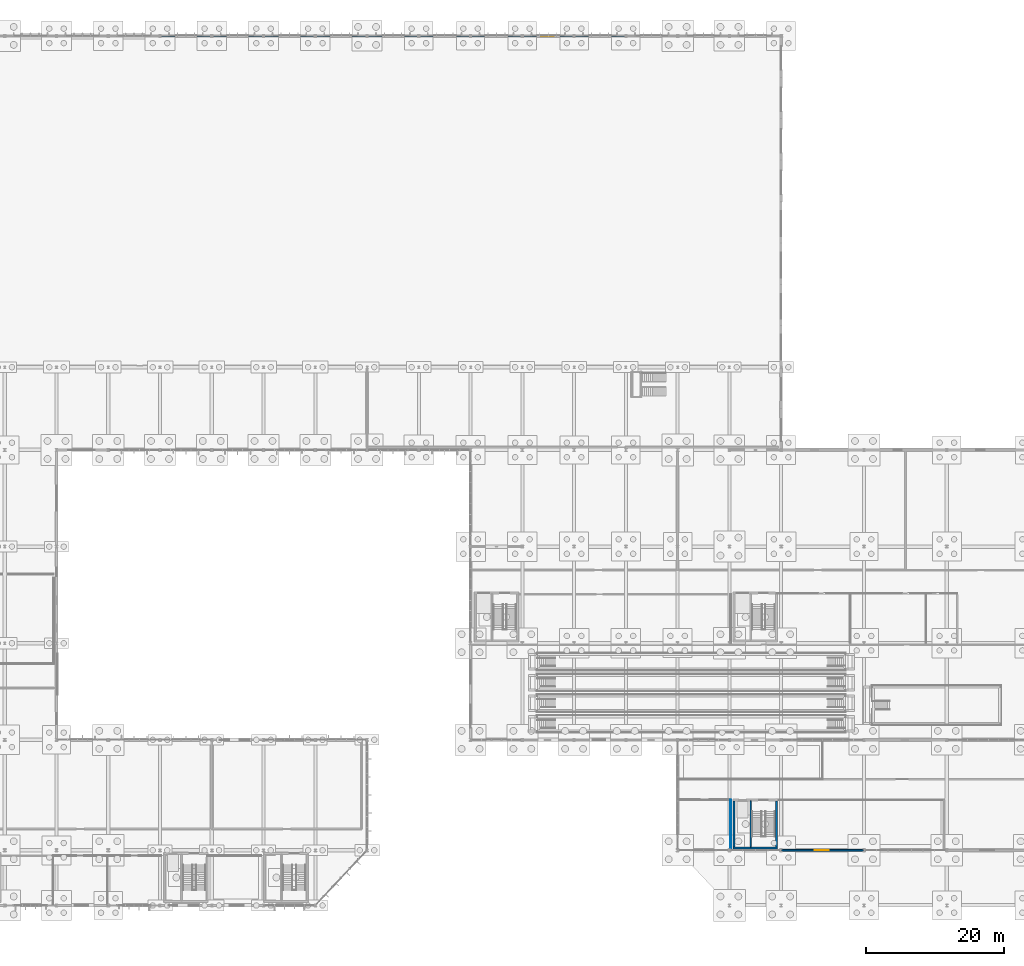
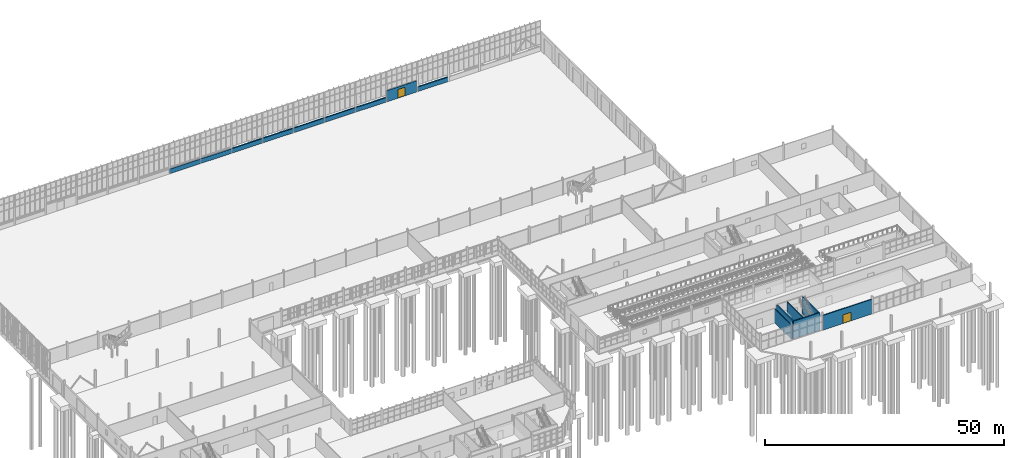
# One storey, part 113 of 136: 15 walls, 2 doors, 2 openings.
"""IFC4 building model written with IfcOpenShell, lengths in metres."""

import ifcopenshell
import ifcopenshell.guid

model = None  # the IFC model being written
_history = None  # IfcOwnerHistory: only IFC2X3 demands one
_inside = {}  # id of a spatial element -> (the spatial element, [elements in it])
_under = {}  # id of a project, library or spatial element -> (it, [spatial elements below it])
_declared = {}  # id of a project -> (the project, [libraries it declares])
_typed = {}  # id of a type object -> (the type object, [elements of that type])
_made_of = {}  # id of a material, layer set ... -> (it, [elements and type objects made of it])


def new_model(schema):
    """Start an empty IFC model of exactly this schema.

    Asked for "IFC4X3", IfcOpenShell would pick the latest addendum, in which some entities
    have other attributes; the version numbers below select the first issue.
    IFC2X3 requires an IfcOwnerHistory on every rooted entity: one is made here for all.
    """
    global model, _history
    if schema == "IFC4X3":
        model = ifcopenshell.file(schema_version=(4, 3, 0, 0))
    else:
        model = ifcopenshell.file(schema=schema)
    _inside.clear()
    _under.clear()
    _declared.clear()
    _typed.clear()
    _made_of.clear()
    _history = None
    if model.schema == "IFC2X3":
        org = make("IfcOrganization", Name="unknown")
        user = make(
            "IfcPersonAndOrganization",
            ThePerson=make("IfcPerson", FamilyName="unknown"),
            TheOrganization=org,
        )
        app = make(
            "IfcApplication",
            ApplicationDeveloper=org,
            Version="unknown",
            ApplicationFullName="unknown",
            ApplicationIdentifier="unknown",
        )
        _history = make(
            "IfcOwnerHistory",
            OwningUser=user,
            OwningApplication=app,
            ChangeAction="ADDED",
            CreationDate=0,
        )
    return model


def make(cls, **values):
    """One entity of the class cls with the attributes given. An attribute that is None is left unset."""
    return model.create_entity(
        cls, **{name: value for name, value in values.items() if value is not None}
    )


def rooted(cls, **values):
    """An entity with a GlobalId (a new one), such as an element, a storey or a relation."""
    return make(cls, GlobalId=ifcopenshell.guid.new(), OwnerHistory=_history, **values)


def si_unit(unit_type, name, prefix=None):
    """IfcSIUnit, for example si_unit("LENGTHUNIT", "METRE", prefix="MILLI")."""
    return make("IfcSIUnit", UnitType=unit_type, Prefix=prefix, Name=name)


def assignment(units):
    """IfcUnitAssignment: the units of a project."""
    return None if units is None else make("IfcUnitAssignment", Units=units)


def point(xyz):
    """IfcCartesianPoint."""
    return None if xyz is None else make("IfcCartesianPoint", Coordinates=xyz)


def direction(xyz):
    """IfcDirection."""
    return None if xyz is None else make("IfcDirection", DirectionRatios=xyz)


def frame(location, z_axis=None, x_axis=None):
    """IfcAxis2Placement3D, a coordinate frame: its origin and axes. An axis left out is left unset."""
    return make(
        "IfcAxis2Placement3D",
        Location=point(location),
        Axis=direction(z_axis),
        RefDirection=direction(x_axis),
    )


def frame_2d(location, x_axis=None):
    """IfcAxis2Placement2D, a coordinate frame in the plane: its origin and x axis."""
    return make(
        "IfcAxis2Placement2D", Location=point(location), RefDirection=direction(x_axis)
    )


def origin():
    """The frame at (0, 0, 0) with its axes left unset."""
    return frame((0.0, 0.0, 0.0))


def place(relative_to, where):
    """IfcLocalPlacement: puts the frame where relative to a parent placement (None: the world)."""
    return make(
        "IfcLocalPlacement", PlacementRelTo=relative_to, RelativePlacement=where
    )


def context(
    kind, dimensions, precision=None, world=None, true_north=None, identifier=None
):
    """IfcGeometricRepresentationContext, for example the 3D "Model" context."""
    return make(
        "IfcGeometricRepresentationContext",
        ContextIdentifier=identifier,
        ContextType=kind,
        CoordinateSpaceDimension=dimensions,
        Precision=precision,
        WorldCoordinateSystem=world,
        TrueNorth=true_north,
    )


def subcontext(parent, identifier, kind, view, scale=None):
    """IfcGeometricRepresentationSubContext, for example "Body" below "Model"."""
    return make(
        "IfcGeometricRepresentationSubContext",
        ContextIdentifier=identifier,
        ContextType=kind,
        ParentContext=parent,
        TargetScale=scale,
        TargetView=view,
    )


def project(units=None, contexts=None):
    """IfcProject with its units and contexts."""
    return rooted(
        "IfcProject",
        Name="project",
        RepresentationContexts=contexts,
        UnitsInContext=assignment(units),
    )


def spatial(cls, under=None, at=None, **own):
    """A site, building, storey or space (cls), placed at a placement, below another one or the project."""
    s = rooted(cls, ObjectPlacement=at, **own)
    if under is not None:
        _under.setdefault(under.id(), (under, []))[1].append(s)
    return s


def profile(cls, at=None, kind="AREA", **sizes):
    """A parametric profile (cls). Its sizes go by their IFC names, for example OverallWidth=200.0."""
    return make(cls, ProfileType=kind, Position=at, **sizes)


def rectangle(**sizes):
    """IfcRectangleProfileDef."""
    return profile("IfcRectangleProfileDef", **sizes)


def extrude(swept, where, along, depth):
    """IfcExtrudedAreaSolid: the profile swept, set in the frame where, extruded along a direction by depth."""
    return make(
        "IfcExtrudedAreaSolid",
        SweptArea=swept,
        Position=where,
        ExtrudedDirection=direction(along),
        Depth=depth,
    )


def shape(context_of_items, identifier, shape_type, items):
    """IfcShapeRepresentation: the items that make up one representation, for example the "Body"."""
    return make(
        "IfcShapeRepresentation",
        ContextOfItems=context_of_items,
        RepresentationIdentifier=identifier,
        RepresentationType=shape_type,
        Items=items,
    )


def material(Name=None, Category=None):
    """IfcMaterial."""
    return make("IfcMaterial", Name=Name, Category=Category)


def layer(
    of_material, thickness, ventilated=None, Name=None, Category=None, Priority=None
):
    """IfcMaterialLayer: one layer of a wall or slab, of a material (None: an air gap)."""
    return make(
        "IfcMaterialLayer",
        Material=of_material,
        LayerThickness=thickness,
        IsVentilated=ventilated,
        Name=Name,
        Category=Category,
        Priority=Priority,
    )


def layer_set(layers, Name=None):
    """IfcMaterialLayerSet."""
    return make("IfcMaterialLayerSet", MaterialLayers=layers, LayerSetName=Name)


def made_of(thing, what):
    """Note that an element or type object is made of a material, layer set ...; save() writes the relation."""
    if what is not None:
        _made_of.setdefault(what.id(), (what, []))[1].append(thing)
    return thing


def type_object(cls, material=None, **own):
    """A type object (cls), such as IfcWallType, which elements share."""
    return made_of(rooted(cls, **own), material)


def element(
    cls,
    number,
    at=None,
    inside=None,
    cuts=None,
    type_object=None,
    material=None,
    context=None,
    identifier="Body",
    shape_type=None,
    held_by="IfcProductDefinitionShape",
    body=None,
    shapes=None,
    **own,
):
    """One element of the class cls, such as IfcWall. Its Tag is "e" and its number.

    at: its placement. inside: the storey or other place that contains it. cuts: it is an
    opening in that element (IfcRelVoidsElement). A single representation is given by context,
    identifier, shape_type and body (its items); several are given by shapes. held_by: the class
    of the entity that holds the representations. save() writes the other relations.
    """
    e = rooted(cls, Tag="e%d" % number, ObjectPlacement=at, **own)
    if body is not None:
        shapes = [shape(context, identifier, shape_type, body)]
    if shapes is not None:
        e.Representation = make(held_by, Representations=shapes)
    if inside is not None:
        _inside.setdefault(inside.id(), (inside, []))[1].append(e)
    if cuts is not None:
        rooted(
            "IfcRelVoidsElement", RelatingBuildingElement=cuts, RelatedOpeningElement=e
        )
    if type_object is not None:
        _typed.setdefault(type_object.id(), (type_object, []))[1].append(e)
    return made_of(e, material)


def fill(opening, filler):
    """IfcRelFillsElement: the door or window that sits in an opening."""
    return rooted(
        "IfcRelFillsElement",
        RelatingOpeningElement=opening,
        RelatedBuildingElement=filler,
    )


def aggregate(whole, parts):
    """IfcRelAggregates: a whole, such as a stair, and the parts it consists of."""
    return rooted("IfcRelAggregates", RelatingObject=whole, RelatedObjects=parts)


def save(model, path):
    """Write the relations noted so far, then the file.

    IfcRelAggregates (storeys below a building ...), IfcRelContainedInSpatialStructure (elements
    in a storey), IfcRelDefinesByType, IfcRelAssociatesMaterial and IfcRelDeclares: one each for
    every whole, place, type object, material and project.
    """
    for whole, parts in _under.values():
        aggregate(whole, parts)
    for where, things in _inside.values():
        rooted(
            "IfcRelContainedInSpatialStructure",
            RelatedElements=things,
            RelatingStructure=where,
        )
    for kind, things in _typed.values():
        rooted("IfcRelDefinesByType", RelatedObjects=things, RelatingType=kind)
    for what, things in _made_of.values():
        rooted("IfcRelAssociatesMaterial", RelatedObjects=things, RelatingMaterial=what)
    for by, libraries in _declared.values():
        rooted("IfcRelDeclares", RelatingContext=by, RelatedDefinitions=libraries)
    model.write(path)


model = new_model("IFC4")

# Units and contexts
model_context = context("Model", 3, precision=1e-05, world=origin(), true_north=direction((0.0, 1.0)))
body_context = subcontext(model_context, "Body", "Model", "MODEL_VIEW")
ifc_project = project(units=[si_unit("LENGTHUNIT", "METRE"), si_unit("AREAUNIT", "SQUARE_METRE"), si_unit("VOLUMEUNIT", "CUBIC_METRE"), si_unit("PLANEANGLEUNIT", "RADIAN"), si_unit("MASSUNIT", "GRAM", prefix="KILO")], contexts=[model_context])

# Site, building, storey
site_placement = place(None, origin())
site = spatial("IfcSite", under=ifc_project, at=site_placement, CompositionType="ELEMENT")
building_placement = place(site_placement, origin())
building = spatial("IfcBuilding", under=site, at=building_placement, Name="Solvenia Promenade Tram Depot", CompositionType="ELEMENT")
storey_placement = place(building_placement, origin())
storey = spatial("IfcBuildingStorey", under=building, at=storey_placement, Name="L00", CompositionType="ELEMENT", Elevation=0.0)

# Walls
ifc_material_1 = material(Name="Concrete C28/35", Category="concrete")
ifc_layer_1 = layer(ifc_material_1, 0.25, Name="Concrete C28/35", Category="concrete")
ifc_layer_set_1 = layer_set([ifc_layer_1], Name="Concrete C28/35")
wall_type_1 = type_object("IfcWallType", Name="Wall-Core-250", PredefinedType="SHEAR", material=ifc_layer_set_1)
wall_1_placement = place(storey_placement, frame((143.050048828125, 8.324951171875, 0.0), z_axis=(0.0, 0.0, 1.0), x_axis=(1.0, 0.0, 0.0)))
element("IfcWall", 1, at=wall_1_placement, inside=storey, type_object=wall_type_1, Name="Core C8 Shear Wall WC-C8-L00-S", PredefinedType="SHEAR", context=body_context, shape_type="SweptSolid", body=[
    extrude(rectangle(XDim=6.39990234375, YDim=0.25, at=frame_2d((3.199951171875, 0.0))), origin(), (0.0, 0.0, 1.0), 4.5),
])
for number, where, z_axis, x_axis, name in (
    (2, (143.175048828125, 8.449951171875, 0.0), (0.0, 0.0, 1.0), (0.0, 1.0, 0.0), "Core C8 Shear Wall WC-C8-L00-W"),
    (3, (149.324951171875, 8.449951171875, 0.0), (0.0, 0.0, 1.0), (0.0, 1.0, 0.0), "Core C8 Shear Wall WC-C8-L00-E"),
):
    element("IfcWall", number, at=place(storey_placement, frame(where, z_axis=z_axis, x_axis=x_axis)), inside=storey, type_object=wall_type_1, Name=name, PredefinedType="SHEAR", context=body_context, shape_type="SweptSolid", body=[
        extrude(rectangle(XDim=6.699951171875, YDim=0.25, at=frame_2d((3.35009765625, 0.0))), origin(), (0.0, 0.0, 1.0), 4.5),
    ])
ifc_material_2 = material(Name="Gypsum board acoustic partition", Category="other")
ifc_layer_2 = layer(ifc_material_2, 0.1220703125, Name="Gypsum board acoustic partition", Category="other")
ifc_layer_set_2 = layer_set([ifc_layer_2], Name="Gypsum board acoustic partition")
wall_type_2 = type_object("IfcWallType", Name="Wall-Part-122", PredefinedType="PARTITIONING", material=ifc_layer_set_2)
wall_2_placement = place(storey_placement, frame((142.699951171875, 8.050048828125, 0.0), z_axis=(0.0, 0.0, 1.0), x_axis=(0.0, 1.0, 0.0)))
element("IfcWall", 4, at=wall_2_placement, inside=storey, type_object=wall_type_2, Name="Promenade Public Accessible WC Dividing Wall WP-L00-044", PredefinedType="PARTITIONING", context=body_context, shape_type="SweptSolid", body=[
    extrude(rectangle(XDim=7.25, YDim=0.1220703125, at=frame_2d((3.625, 0.0))), origin(), (0.0, 0.0, 1.0), 3.5810546875),
])

# Wall, opening, door
ifc_material_3 = material(Name="Concrete C35/45", Category="concrete")
ifc_layer_3 = layer(ifc_material_3, 0.300048828125, Name="Concrete C35/45", Category="concrete")
ifc_layer_set_3 = layer_set([ifc_layer_3], Name="Concrete C35/45")
wall_type_3 = type_object("IfcWallType", Name="Wall-Plinth-300", PredefinedType="SOLIDWALL", material=ifc_layer_set_3)
wall_3_placement = place(storey_placement, frame((112.580078125, 126.0, 0.0), z_axis=(0.0, 0.0, 1.0), x_axis=(1.0, 0.0, 0.0)))
wall_3 = element("IfcWall", 5, at=wall_3_placement, inside=storey, type_object=wall_type_3, Name="North Shed Exit Plinth Wall EW-L00-016", PredefinedType="SOLIDWALL", context=body_context, shape_type="SweptSolid", body=[
    extrude(rectangle(XDim=7.33984375, YDim=0.300048828125, at=frame_2d((3.669921875, 0.0))), origin(), (0.0, 0.0, 1.0), 2.85009765625),
])
opening_1_placement = place(wall_3_placement, frame((2.64990234375, 0.0, 0.0)))
opening_1 = element("IfcOpeningElement", 6, at=opening_1_placement, cuts=wall_3, Name="Opening ED-02", PredefinedType="OPENING", context=body_context, shape_type="SweptSolid", body=[
    extrude(rectangle(XDim=1.800048828125, YDim=2.199951171875, at=frame_2d((0.89990234375, 1.10009765625))), frame((0.0, 0.159912109375, 0.0), z_axis=(0.0, -1.0, 0.0), x_axis=(1.0, 0.0, 0.0)), (0.0, 0.0, 1.0), 0.320068359375),
])
ifc_material_4 = material(Name="Galvanized painted sheet steel", Category="steel")
door_type_1 = type_object("IfcDoorType", Name="Door-Exit-1800x2200", OperationType="NOTDEFINED", PredefinedType="DOOR", material=ifc_material_4)
door_1_placement = place(opening_1_placement, origin())
door_1 = element("IfcDoor", 7, at=door_1_placement, inside=storey, type_object=door_type_1, Name="Pedestrian Exit Door ED-02", OperationType="SINGLE_SWING_RIGHT", OverallHeight=2.199951171875, OverallWidth=1.800048828125, PredefinedType="DOOR", context=body_context, shape_type="SweptSolid", body=[
    extrude(rectangle(XDim=1.800048828125, YDim=2.199951171875, at=frame_2d((0.89990234375, 1.10009765625))), frame((0.0, 0.02490234375, 0.0), z_axis=(0.0, -1.0, 0.0), x_axis=(1.0, 0.0, 0.0)), (0.0, 0.0, 1.0), 0.050048828125),
])
fill(opening_1, door_1)

# Walls
ifc_layer_4 = layer(ifc_material_3, 0.320068359375, Name="Concrete C35/45", Category="concrete")
ifc_layer_set_4 = layer_set([ifc_layer_4], Name="Concrete C35/45")
wall_type_4 = type_object("IfcWallType", Name="Wall-Plinth-320", PredefinedType="SOLIDWALL", material=ifc_layer_set_4)
for number, where, z_axis, x_axis, name in (
    (8, (60.080078125, 126.0, 0.0), (0.0, 0.0, 1.0), (1.0, 0.0, 0.0), "North Sun-Warmed Thermal Plinth EW-L00-009"),
    (9, (67.580078125, 126.0, 0.0), (0.0, 0.0, 1.0), (1.0, 0.0, 0.0), "North Sun-Warmed Thermal Plinth EW-L00-010"),
    (10, (75.080078125, 126.0, 0.0), (0.0, 0.0, 1.0), (1.0, 0.0, 0.0), "North Sun-Warmed Thermal Plinth EW-L00-011"),
    (11, (82.580078125, 126.0, 0.0), (0.0, 0.0, 1.0), (1.0, 0.0, 0.0), "North Sun-Warmed Thermal Plinth EW-L00-012"),
    (12, (90.080078125, 126.0, 0.0), (0.0, 0.0, 1.0), (1.0, 0.0, 0.0), "North Sun-Warmed Thermal Plinth EW-L00-013"),
    (13, (97.580078125, 126.0, 0.0), (0.0, 0.0, 1.0), (1.0, 0.0, 0.0), "North Sun-Warmed Thermal Plinth EW-L00-014"),
    (14, (105.080078125, 126.0, 0.0), (0.0, 0.0, 1.0), (1.0, 0.0, 0.0), "North Sun-Warmed Thermal Plinth EW-L00-015"),
    (15, (120.080078125, 126.0, 0.0), (0.0, 0.0, 1.0), (1.0, 0.0, 0.0), "North Sun-Warmed Thermal Plinth EW-L00-017"),
):
    element("IfcWall", number, at=place(storey_placement, frame(where, z_axis=z_axis, x_axis=x_axis)), inside=storey, type_object=wall_type_4, Name=name, PredefinedType="SOLIDWALL", context=body_context, shape_type="SweptSolid", body=[
        extrude(rectangle(XDim=7.33984375, YDim=0.320068359375, at=frame_2d((3.669921875, 0.0))), origin(), (0.0, 0.0, 1.0), 1.14990234375),
    ])
ifc_layer_5 = layer(ifc_material_1, 0.199951171875, Name="Concrete C28/35", Category="concrete")
ifc_layer_set_5 = layer_set([ifc_layer_5], Name="Concrete C28/35")
wall_type_5 = type_object("IfcWallType", Name="Wall-Shaft-200", PredefinedType="SHEAR", material=ifc_layer_set_5)
wall_4_placement = place(storey_placement, frame((145.60009765625, 8.449951171875, 0.0), z_axis=(0.0, 0.0, 1.0), x_axis=(0.0, 1.0, 0.0)))
element("IfcWall", 16, at=wall_4_placement, inside=storey, type_object=wall_type_5, Name="Core C8 Shear Wall WC-C8-L00-DIV", PredefinedType="SHEAR", context=body_context, shape_type="SweptSolid", body=[
    extrude(rectangle(XDim=6.699951171875, YDim=0.199951171875, at=frame_2d((3.35009765625, 0.0))), origin(), (0.0, 0.0, 1.0), 4.5),
])

# Wall, opening, door
ifc_layer_6 = layer(ifc_material_3, 0.239990234375, Name="Concrete C35/45", Category="concrete")
ifc_layer_set_6 = layer_set([ifc_layer_6], Name="Concrete C35/45")
wall_type_6 = type_object("IfcWallType", Name="Wall-Spandrel-240", PredefinedType="SOLIDWALL", material=ifc_layer_set_6)
wall_5_placement = place(storey_placement, frame((150.080078125, 8.0, 0.0), z_axis=(0.0, 0.0, 1.0), x_axis=(1.0, 0.0, 0.0)))
wall_5 = element("IfcWall", 17, at=wall_5_placement, inside=storey, type_object=wall_type_6, Name="Promenade Colonnade Entrance Wall EW-L00-091", PredefinedType="SOLIDWALL", context=body_context, shape_type="SweptSolid", body=[
    extrude(rectangle(XDim=11.83984375, YDim=0.239990234375, at=frame_2d((5.919921875, 0.0))), origin(), (0.0, 0.0, 1.0), 3.75),
])
opening_2_placement = place(wall_5_placement, frame((4.780029296875, 0.0, 0.0)))
opening_2 = element("IfcOpeningElement", 18, at=opening_2_placement, cuts=wall_5, Name="Opening ED-10", PredefinedType="OPENING", context=body_context, shape_type="SweptSolid", body=[
    extrude(rectangle(XDim=2.0, YDim=2.199951171875, at=frame_2d((1.0, 1.10009765625))), frame((0.0, 0.1298828125, 0.0), z_axis=(0.0, -1.0, 0.0), x_axis=(1.0, 0.0, 0.0)), (0.0, 0.0, 1.0), 0.260009765625),
])
door_type_2 = type_object("IfcDoorType", Name="Door-Exit-2000x2200", OperationType="NOTDEFINED", PredefinedType="DOOR", material=ifc_material_4)
door_2_placement = place(opening_2_placement, frame((2.0, 0.0, 0.0), z_axis=(0.0, 0.0, 1.0), x_axis=(-1.0, 0.0, 0.0)))
door_2 = element("IfcDoor", 19, at=door_2_placement, inside=storey, type_object=door_type_2, Name="Promenade Public Entrance Exit Door ED-10", OperationType="SINGLE_SWING_LEFT", OverallHeight=2.199951171875, OverallWidth=2.0, PredefinedType="DOOR", context=body_context, shape_type="SweptSolid", body=[
    extrude(rectangle(XDim=2.0, YDim=2.199951171875, at=frame_2d((1.0, 1.10009765625))), frame((0.0, 0.02490234375, 0.0), z_axis=(0.0, -1.0, 0.0), x_axis=(1.0, 0.0, 0.0)), (0.0, 0.0, 1.0), 0.050048828125),
])
fill(opening_2, door_2)

save(model, "model.ifc")
